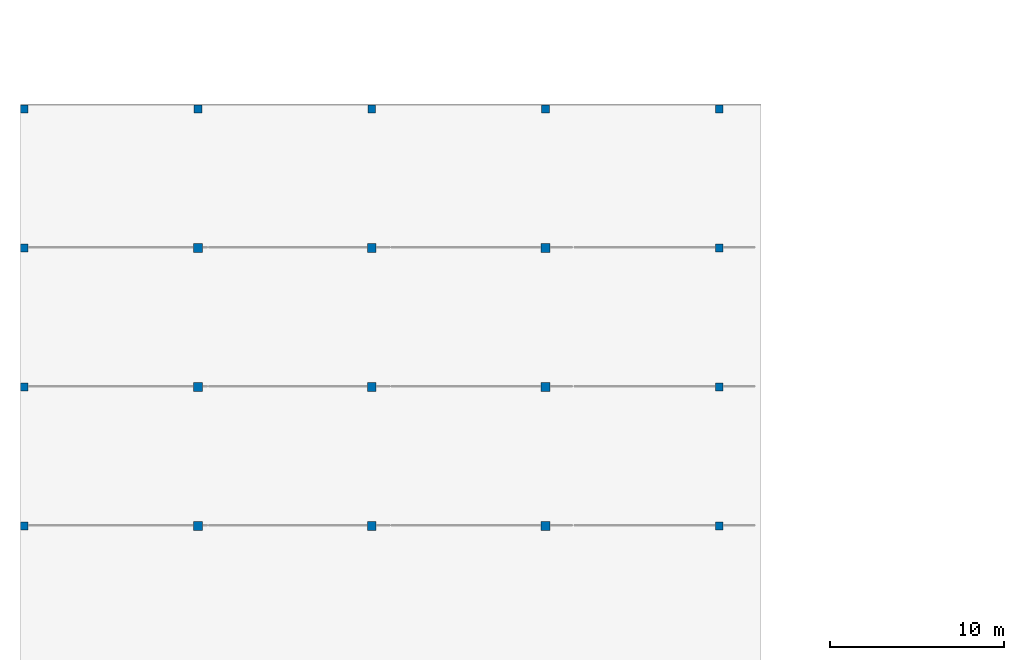
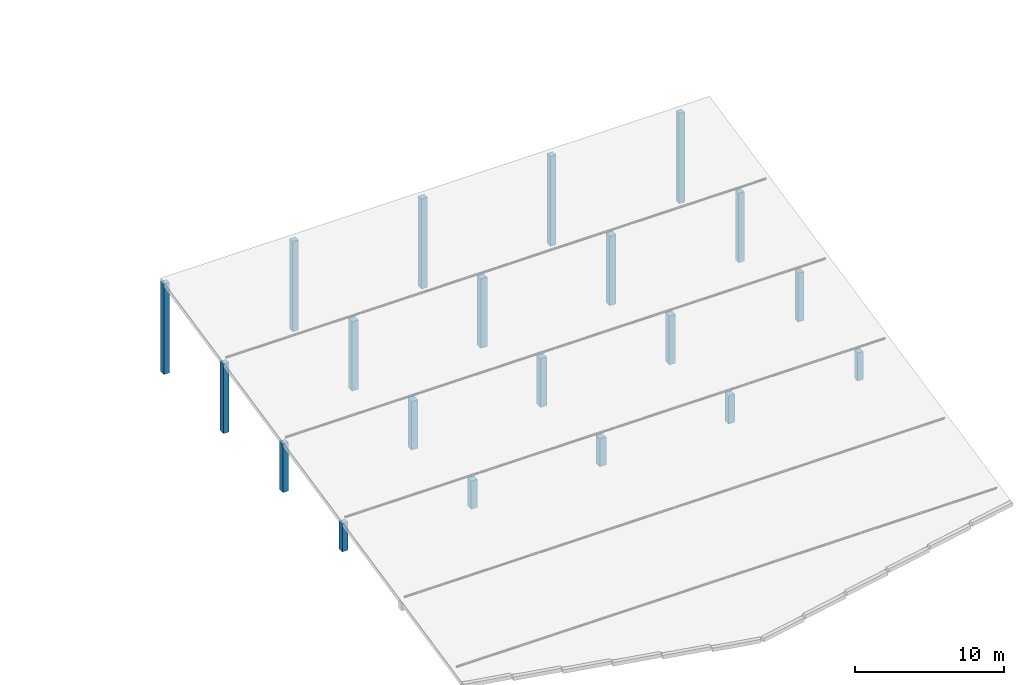
# One storey, part 2 of 41: 20 columns.
"""IFC4 building model written with IfcOpenShell, lengths in metres."""

from ifc_helpers import new_model, si_unit, direction, frame, origin, origin_2d, place, context, subcontext, project, spatial, rectangle, extrude, material, material_profile, profile_set, type_object, element, save


model = new_model("IFC4")

# Units and contexts
model_context = context("Model", 3, precision=1e-05, world=origin(), true_north=direction((0.0, 1.0)))
body_context = subcontext(model_context, "Body", "Model", "MODEL_VIEW")
ifc_project = project(units=[si_unit("LENGTHUNIT", "METRE"), si_unit("AREAUNIT", "SQUARE_METRE"), si_unit("VOLUMEUNIT", "CUBIC_METRE"), si_unit("PLANEANGLEUNIT", "RADIAN"), si_unit("MASSUNIT", "GRAM", prefix="KILO")], contexts=[model_context])

# Site, building, storey
site_placement = place(None, origin())
site = spatial("IfcSite", under=ifc_project, at=site_placement, CompositionType="ELEMENT")
building_placement = place(site_placement, origin())
building = spatial("IfcBuilding", under=site, at=building_placement, Name="Okhra Congress Centre", CompositionType="ELEMENT")
storey_placement = place(building_placement, frame((0.0, 0.0, 21.60009765625)))
storey = spatial("IfcBuildingStorey", under=building, at=storey_placement, Name="ROOF", CompositionType="ELEMENT", Elevation=21.60009765625)

# Columns
ifc_material = material(Name="Concrete C35/45", Category="concrete")
ifc_material_profile_1 = material_profile(ifc_material, rectangle(XDim=0.449951171875, YDim=0.449951171875, at=origin_2d()), Name="RC 450x450")
ifc_profile_set_1 = profile_set([ifc_material_profile_1], Name="Concrete C35/45")
column_type_1 = type_object("IfcColumnType", Name="RC column 450x450 C35/45", PredefinedType="COLUMN", material=ifc_profile_set_1)
column_1_placement = place(storey_placement, frame((6.0, 60.0, 0.0), z_axis=(0.0, 0.0, 1.0), x_axis=(1.0, 0.0, 0.0)))
element("IfcColumn", 1, at=column_1_placement, inside=storey, type_object=column_type_1, Name="RS.COL.ROOF.3", PredefinedType="COLUMN", context=body_context, shape_type="SweptSolid", body=[
    extrude(rectangle(XDim=0.449951171875, YDim=0.449951171875, at=origin_2d()), origin(), (0.0, 0.0, 1.0), 2.2919921875),
])
column_2_placement = place(storey_placement, frame((6.0, 68.0, 0.0), z_axis=(0.0, 0.0, 1.0), x_axis=(1.0, 0.0, 0.0)))
element("IfcColumn", 2, at=column_2_placement, inside=storey, type_object=column_type_1, Name="RS.COL.ROOF.4", PredefinedType="COLUMN", context=body_context, shape_type="SweptSolid", body=[
    extrude(rectangle(XDim=0.449951171875, YDim=0.449951171875, at=origin_2d()), origin(), (0.0, 0.0, 1.0), 3.992431640625),
])
column_3_placement = place(storey_placement, frame((6.0, 76.0, 0.0), z_axis=(0.0, 0.0, 1.0), x_axis=(1.0, 0.0, 0.0)))
element("IfcColumn", 3, at=column_3_placement, inside=storey, type_object=column_type_1, Name="RS.COL.ROOF.5", PredefinedType="COLUMN", context=body_context, shape_type="SweptSolid", body=[
    extrude(rectangle(XDim=0.449951171875, YDim=0.449951171875, at=origin_2d()), origin(), (0.0, 0.0, 1.0), 5.69287109375),
])
for number, where, z_axis, x_axis, name in (
    (4, (6.0, 84.0, 0.0), (0.0, 0.0, 1.0), (1.0, 0.0, 0.0), "RS.COL.ROOF.6"),
    (5, (16.0, 84.0, 0.0), (0.0, 0.0, 1.0), (1.0, 0.0, 0.0), "RS.COL.ROOF.12"),
    (6, (26.0, 84.0, 0.0), (0.0, 0.0, 1.0), (1.0, 0.0, 0.0), "RS.COL.ROOF.18"),
    (7, (36.0, 84.0, 0.0), (0.0, 0.0, 1.0), (1.0, 0.0, 0.0), "RS.COL.ROOF.24"),
):
    element("IfcColumn", number, at=place(storey_placement, frame(where, z_axis=z_axis, x_axis=x_axis)), inside=storey, type_object=column_type_1, Name=name, PredefinedType="COLUMN", context=body_context, shape_type="SweptSolid", body=[
        extrude(rectangle(XDim=0.449951171875, YDim=0.449951171875, at=origin_2d()), origin(), (0.0, 0.0, 1.0), 7.393310546875),
    ])
column_4_placement = place(storey_placement, frame((46.0, 60.0, 0.0), z_axis=(0.0, 0.0, 1.0), x_axis=(1.0, 0.0, 0.0)))
element("IfcColumn", 8, at=column_4_placement, inside=storey, type_object=column_type_1, Name="RS.COL.ROOF.27", PredefinedType="COLUMN", context=body_context, shape_type="SweptSolid", body=[
    extrude(rectangle(XDim=0.449951171875, YDim=0.449951171875, at=origin_2d()), origin(), (0.0, 0.0, 1.0), 2.2919921875),
])
column_5_placement = place(storey_placement, frame((46.0, 68.0, 0.0), z_axis=(0.0, 0.0, 1.0), x_axis=(1.0, 0.0, 0.0)))
element("IfcColumn", 9, at=column_5_placement, inside=storey, type_object=column_type_1, Name="RS.COL.ROOF.28", PredefinedType="COLUMN", context=body_context, shape_type="SweptSolid", body=[
    extrude(rectangle(XDim=0.449951171875, YDim=0.449951171875, at=origin_2d()), origin(), (0.0, 0.0, 1.0), 3.992431640625),
])
column_6_placement = place(storey_placement, frame((46.0, 76.0, 0.0), z_axis=(0.0, 0.0, 1.0), x_axis=(1.0, 0.0, 0.0)))
element("IfcColumn", 10, at=column_6_placement, inside=storey, type_object=column_type_1, Name="RS.COL.ROOF.29", PredefinedType="COLUMN", context=body_context, shape_type="SweptSolid", body=[
    extrude(rectangle(XDim=0.449951171875, YDim=0.449951171875, at=origin_2d()), origin(), (0.0, 0.0, 1.0), 5.69287109375),
])
column_7_placement = place(storey_placement, frame((46.0, 84.0, 0.0), z_axis=(0.0, 0.0, 1.0), x_axis=(1.0, 0.0, 0.0)))
element("IfcColumn", 11, at=column_7_placement, inside=storey, type_object=column_type_1, Name="RS.COL.ROOF.30", PredefinedType="COLUMN", context=body_context, shape_type="SweptSolid", body=[
    extrude(rectangle(XDim=0.449951171875, YDim=0.449951171875, at=origin_2d()), origin(), (0.0, 0.0, 1.0), 7.393310546875),
])
ifc_material_profile_2 = material_profile(ifc_material, rectangle(XDim=0.5, YDim=0.5, at=origin_2d()), Name="RC 500x500")
ifc_profile_set_2 = profile_set([ifc_material_profile_2], Name="Concrete C35/45")
column_type_2 = type_object("IfcColumnType", Name="RC column 500x500 C35/45", PredefinedType="COLUMN", material=ifc_profile_set_2)
column_8_placement = place(storey_placement, frame((16.0, 60.0, 0.0), z_axis=(0.0, 0.0, 1.0), x_axis=(1.0, 0.0, 0.0)))
element("IfcColumn", 12, at=column_8_placement, inside=storey, type_object=column_type_2, Name="RS.COL.ROOF.9", PredefinedType="COLUMN", context=body_context, shape_type="SweptSolid", body=[
    extrude(rectangle(XDim=0.5, YDim=0.5, at=origin_2d()), origin(), (0.0, 0.0, 1.0), 2.2919921875),
])
column_9_placement = place(storey_placement, frame((16.0, 68.0, 0.0), z_axis=(0.0, 0.0, 1.0), x_axis=(1.0, 0.0, 0.0)))
element("IfcColumn", 13, at=column_9_placement, inside=storey, type_object=column_type_2, Name="RS.COL.ROOF.10", PredefinedType="COLUMN", context=body_context, shape_type="SweptSolid", body=[
    extrude(rectangle(XDim=0.5, YDim=0.5, at=origin_2d()), origin(), (0.0, 0.0, 1.0), 3.992431640625),
])
column_10_placement = place(storey_placement, frame((16.0, 76.0, 0.0), z_axis=(0.0, 0.0, 1.0), x_axis=(1.0, 0.0, 0.0)))
element("IfcColumn", 14, at=column_10_placement, inside=storey, type_object=column_type_2, Name="RS.COL.ROOF.11", PredefinedType="COLUMN", context=body_context, shape_type="SweptSolid", body=[
    extrude(rectangle(XDim=0.5, YDim=0.5, at=origin_2d()), origin(), (0.0, 0.0, 1.0), 5.69287109375),
])
column_11_placement = place(storey_placement, frame((26.0, 60.0, 0.0), z_axis=(0.0, 0.0, 1.0), x_axis=(1.0, 0.0, 0.0)))
element("IfcColumn", 15, at=column_11_placement, inside=storey, type_object=column_type_2, Name="RS.COL.ROOF.15", PredefinedType="COLUMN", context=body_context, shape_type="SweptSolid", body=[
    extrude(rectangle(XDim=0.5, YDim=0.5, at=origin_2d()), origin(), (0.0, 0.0, 1.0), 2.2919921875),
])
column_12_placement = place(storey_placement, frame((26.0, 68.0, 0.0), z_axis=(0.0, 0.0, 1.0), x_axis=(1.0, 0.0, 0.0)))
element("IfcColumn", 16, at=column_12_placement, inside=storey, type_object=column_type_2, Name="RS.COL.ROOF.16", PredefinedType="COLUMN", context=body_context, shape_type="SweptSolid", body=[
    extrude(rectangle(XDim=0.5, YDim=0.5, at=origin_2d()), origin(), (0.0, 0.0, 1.0), 3.992431640625),
])
column_13_placement = place(storey_placement, frame((26.0, 76.0, 0.0), z_axis=(0.0, 0.0, 1.0), x_axis=(1.0, 0.0, 0.0)))
element("IfcColumn", 17, at=column_13_placement, inside=storey, type_object=column_type_2, Name="RS.COL.ROOF.17", PredefinedType="COLUMN", context=body_context, shape_type="SweptSolid", body=[
    extrude(rectangle(XDim=0.5, YDim=0.5, at=origin_2d()), origin(), (0.0, 0.0, 1.0), 5.69287109375),
])
column_14_placement = place(storey_placement, frame((36.0, 60.0, 0.0), z_axis=(0.0, 0.0, 1.0), x_axis=(1.0, 0.0, 0.0)))
element("IfcColumn", 18, at=column_14_placement, inside=storey, type_object=column_type_2, Name="RS.COL.ROOF.21", PredefinedType="COLUMN", context=body_context, shape_type="SweptSolid", body=[
    extrude(rectangle(XDim=0.5, YDim=0.5, at=origin_2d()), origin(), (0.0, 0.0, 1.0), 2.2919921875),
])
column_15_placement = place(storey_placement, frame((36.0, 68.0, 0.0), z_axis=(0.0, 0.0, 1.0), x_axis=(1.0, 0.0, 0.0)))
element("IfcColumn", 19, at=column_15_placement, inside=storey, type_object=column_type_2, Name="RS.COL.ROOF.22", PredefinedType="COLUMN", context=body_context, shape_type="SweptSolid", body=[
    extrude(rectangle(XDim=0.5, YDim=0.5, at=origin_2d()), origin(), (0.0, 0.0, 1.0), 3.992431640625),
])
column_16_placement = place(storey_placement, frame((36.0, 76.0, 0.0), z_axis=(0.0, 0.0, 1.0), x_axis=(1.0, 0.0, 0.0)))
element("IfcColumn", 20, at=column_16_placement, inside=storey, type_object=column_type_2, Name="RS.COL.ROOF.23", PredefinedType="COLUMN", context=body_context, shape_type="SweptSolid", body=[
    extrude(rectangle(XDim=0.5, YDim=0.5, at=origin_2d()), origin(), (0.0, 0.0, 1.0), 5.69287109375),
])

save(model, "model.ifc")
